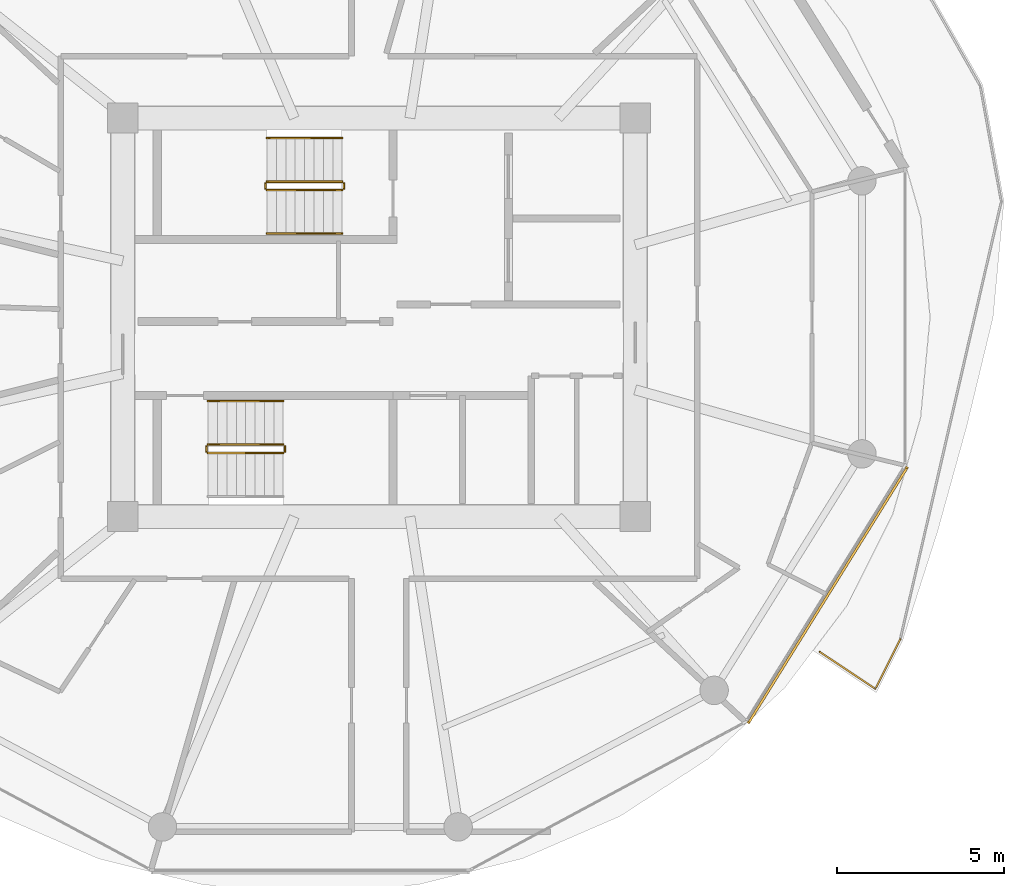
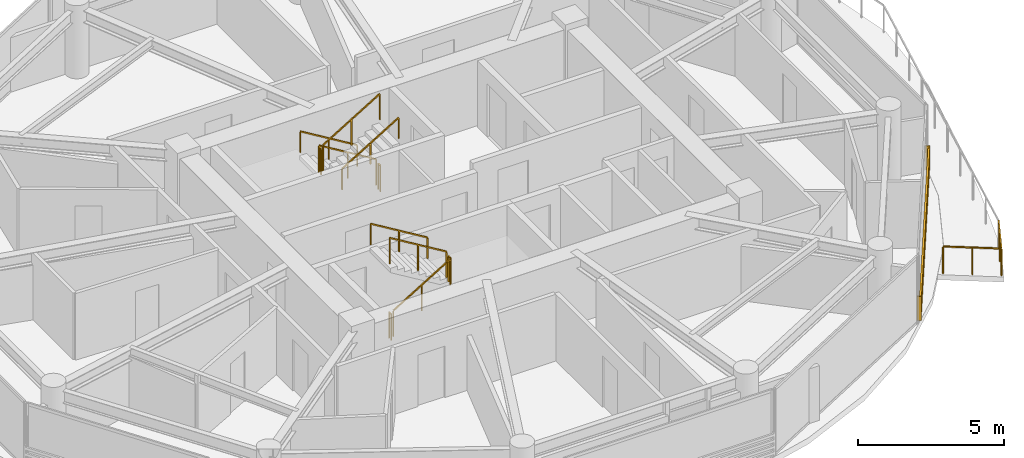
# One storey, part 23 of 24: 12 railings, 1 shading device.
"""IFC4 building model written with IfcOpenShell, lengths in metres."""

import ifcopenshell
import ifcopenshell.guid

model = None  # the IFC model being written
_history = None  # IfcOwnerHistory: only IFC2X3 demands one
_inside = {}  # id of a spatial element -> (the spatial element, [elements in it])
_under = {}  # id of a project, library or spatial element -> (it, [spatial elements below it])
_declared = {}  # id of a project -> (the project, [libraries it declares])
_typed = {}  # id of a type object -> (the type object, [elements of that type])
_made_of = {}  # id of a material, layer set ... -> (it, [elements and type objects made of it])


def new_model(schema):
    """Start an empty IFC model of exactly this schema.

    Asked for "IFC4X3", IfcOpenShell would pick the latest addendum, in which some entities
    have other attributes; the version numbers below select the first issue.
    IFC2X3 requires an IfcOwnerHistory on every rooted entity: one is made here for all.
    """
    global model, _history
    if schema == "IFC4X3":
        model = ifcopenshell.file(schema_version=(4, 3, 0, 0))
    else:
        model = ifcopenshell.file(schema=schema)
    _inside.clear()
    _under.clear()
    _declared.clear()
    _typed.clear()
    _made_of.clear()
    _history = None
    if model.schema == "IFC2X3":
        org = make("IfcOrganization", Name="unknown")
        user = make(
            "IfcPersonAndOrganization",
            ThePerson=make("IfcPerson", FamilyName="unknown"),
            TheOrganization=org,
        )
        app = make(
            "IfcApplication",
            ApplicationDeveloper=org,
            Version="unknown",
            ApplicationFullName="unknown",
            ApplicationIdentifier="unknown",
        )
        _history = make(
            "IfcOwnerHistory",
            OwningUser=user,
            OwningApplication=app,
            ChangeAction="ADDED",
            CreationDate=0,
        )
    return model


def make(cls, **values):
    """One entity of the class cls with the attributes given. An attribute that is None is left unset."""
    return model.create_entity(
        cls, **{name: value for name, value in values.items() if value is not None}
    )


def rooted(cls, **values):
    """An entity with a GlobalId (a new one), such as an element, a storey or a relation."""
    return make(cls, GlobalId=ifcopenshell.guid.new(), OwnerHistory=_history, **values)


def si_unit(unit_type, name, prefix=None):
    """IfcSIUnit, for example si_unit("LENGTHUNIT", "METRE", prefix="MILLI")."""
    return make("IfcSIUnit", UnitType=unit_type, Prefix=prefix, Name=name)


def assignment(units):
    """IfcUnitAssignment: the units of a project."""
    return None if units is None else make("IfcUnitAssignment", Units=units)


def point(xyz):
    """IfcCartesianPoint."""
    return None if xyz is None else make("IfcCartesianPoint", Coordinates=xyz)


def direction(xyz):
    """IfcDirection."""
    return None if xyz is None else make("IfcDirection", DirectionRatios=xyz)


def frame(location, z_axis=None, x_axis=None):
    """IfcAxis2Placement3D, a coordinate frame: its origin and axes. An axis left out is left unset."""
    return make(
        "IfcAxis2Placement3D",
        Location=point(location),
        Axis=direction(z_axis),
        RefDirection=direction(x_axis),
    )


def frame_2d(location, x_axis=None):
    """IfcAxis2Placement2D, a coordinate frame in the plane: its origin and x axis."""
    return make(
        "IfcAxis2Placement2D", Location=point(location), RefDirection=direction(x_axis)
    )


def origin():
    """The frame at (0, 0, 0) with its axes left unset."""
    return frame((0.0, 0.0, 0.0))


def origin_2d():
    """The frame at (0, 0) in the plane with its x axis left unset."""
    return frame_2d((0.0, 0.0))


def place(relative_to, where):
    """IfcLocalPlacement: puts the frame where relative to a parent placement (None: the world)."""
    return make(
        "IfcLocalPlacement", PlacementRelTo=relative_to, RelativePlacement=where
    )


def context(
    kind, dimensions, precision=None, world=None, true_north=None, identifier=None
):
    """IfcGeometricRepresentationContext, for example the 3D "Model" context."""
    return make(
        "IfcGeometricRepresentationContext",
        ContextIdentifier=identifier,
        ContextType=kind,
        CoordinateSpaceDimension=dimensions,
        Precision=precision,
        WorldCoordinateSystem=world,
        TrueNorth=true_north,
    )


def subcontext(parent, identifier, kind, view, scale=None):
    """IfcGeometricRepresentationSubContext, for example "Body" below "Model"."""
    return make(
        "IfcGeometricRepresentationSubContext",
        ContextIdentifier=identifier,
        ContextType=kind,
        ParentContext=parent,
        TargetScale=scale,
        TargetView=view,
    )


def project(units=None, contexts=None):
    """IfcProject with its units and contexts."""
    return rooted(
        "IfcProject",
        Name="project",
        RepresentationContexts=contexts,
        UnitsInContext=assignment(units),
    )


def spatial(cls, under=None, at=None, **own):
    """A site, building, storey or space (cls), placed at a placement, below another one or the project."""
    s = rooted(cls, ObjectPlacement=at, **own)
    if under is not None:
        _under.setdefault(under.id(), (under, []))[1].append(s)
    return s


def profile(cls, at=None, kind="AREA", **sizes):
    """A parametric profile (cls). Its sizes go by their IFC names, for example OverallWidth=200.0."""
    return make(cls, ProfileType=kind, Position=at, **sizes)


def rectangle(**sizes):
    """IfcRectangleProfileDef."""
    return profile("IfcRectangleProfileDef", **sizes)


def extrude(swept, where, along, depth):
    """IfcExtrudedAreaSolid: the profile swept, set in the frame where, extruded along a direction by depth."""
    return make(
        "IfcExtrudedAreaSolid",
        SweptArea=swept,
        Position=where,
        ExtrudedDirection=direction(along),
        Depth=depth,
    )


def shape(context_of_items, identifier, shape_type, items):
    """IfcShapeRepresentation: the items that make up one representation, for example the "Body"."""
    return make(
        "IfcShapeRepresentation",
        ContextOfItems=context_of_items,
        RepresentationIdentifier=identifier,
        RepresentationType=shape_type,
        Items=items,
    )


def source(mapping_origin, context_of_items, identifier, shape_type, items):
    """IfcRepresentationMap: a shape defined once, which mapped items show again and again."""
    return make(
        "IfcRepresentationMap",
        MappingOrigin=mapping_origin,
        MappedRepresentation=shape(context_of_items, identifier, shape_type, items),
    )


def transform(
    local_origin,
    x_axis=None,
    y_axis=None,
    z_axis=None,
    scale=None,
    scale2=None,
    scale3=None,
    uniform=True,
):
    """IfcCartesianTransformationOperator3D, or its non-uniform kind. x_axis, y_axis, z_axis: its Axis1, 2, 3."""
    if uniform:
        return make(
            "IfcCartesianTransformationOperator3D",
            Axis1=direction(x_axis),
            Axis2=direction(y_axis),
            LocalOrigin=point(local_origin),
            Scale=scale,
            Axis3=direction(z_axis),
        )
    return make(
        "IfcCartesianTransformationOperator3DnonUniform",
        Axis1=direction(x_axis),
        Axis2=direction(y_axis),
        LocalOrigin=point(local_origin),
        Scale=scale,
        Axis3=direction(z_axis),
        Scale2=scale2,
        Scale3=scale3,
    )


def mapped(mapping_source, mapping_target):
    """IfcMappedItem: shows the shape of a source again, moved by a transform."""
    return make(
        "IfcMappedItem", MappingSource=mapping_source, MappingTarget=mapping_target
    )


def material(Name=None, Category=None):
    """IfcMaterial."""
    return make("IfcMaterial", Name=Name, Category=Category)


def made_of(thing, what):
    """Note that an element or type object is made of a material, layer set ...; save() writes the relation."""
    if what is not None:
        _made_of.setdefault(what.id(), (what, []))[1].append(thing)
    return thing


def type_object(cls, material=None, **own):
    """A type object (cls), such as IfcWallType, which elements share."""
    return made_of(rooted(cls, **own), material)


def type_shapes(of_type, sources):
    """Give a type object the sources (RepresentationMaps) that its elements show as mapped items."""
    of_type.RepresentationMaps = sources


def element(
    cls,
    number,
    at=None,
    inside=None,
    cuts=None,
    type_object=None,
    material=None,
    context=None,
    identifier="Body",
    shape_type=None,
    held_by="IfcProductDefinitionShape",
    body=None,
    shapes=None,
    **own,
):
    """One element of the class cls, such as IfcWall. Its Tag is "e" and its number.

    at: its placement. inside: the storey or other place that contains it. cuts: it is an
    opening in that element (IfcRelVoidsElement). A single representation is given by context,
    identifier, shape_type and body (its items); several are given by shapes. held_by: the class
    of the entity that holds the representations. save() writes the other relations.
    """
    e = rooted(cls, Tag="e%d" % number, ObjectPlacement=at, **own)
    if body is not None:
        shapes = [shape(context, identifier, shape_type, body)]
    if shapes is not None:
        e.Representation = make(held_by, Representations=shapes)
    if inside is not None:
        _inside.setdefault(inside.id(), (inside, []))[1].append(e)
    if cuts is not None:
        rooted(
            "IfcRelVoidsElement", RelatingBuildingElement=cuts, RelatedOpeningElement=e
        )
    if type_object is not None:
        _typed.setdefault(type_object.id(), (type_object, []))[1].append(e)
    return made_of(e, material)


def aggregate(whole, parts):
    """IfcRelAggregates: a whole, such as a stair, and the parts it consists of."""
    return rooted("IfcRelAggregates", RelatingObject=whole, RelatedObjects=parts)


def save(model, path):
    """Write the relations noted so far, then the file.

    IfcRelAggregates (storeys below a building ...), IfcRelContainedInSpatialStructure (elements
    in a storey), IfcRelDefinesByType, IfcRelAssociatesMaterial and IfcRelDeclares: one each for
    every whole, place, type object, material and project.
    """
    for whole, parts in _under.values():
        aggregate(whole, parts)
    for where, things in _inside.values():
        rooted(
            "IfcRelContainedInSpatialStructure",
            RelatedElements=things,
            RelatingStructure=where,
        )
    for kind, things in _typed.values():
        rooted("IfcRelDefinesByType", RelatedObjects=things, RelatingType=kind)
    for what, things in _made_of.values():
        rooted("IfcRelAssociatesMaterial", RelatedObjects=things, RelatingMaterial=what)
    for by, libraries in _declared.values():
        rooted("IfcRelDeclares", RelatingContext=by, RelatedDefinitions=libraries)
    model.write(path)


model = new_model("IFC4")

# Units and contexts
model_context = context("Model", 3, precision=1e-05, world=origin(), true_north=direction((0.0, 1.0)))
body_context = subcontext(model_context, "Body", "Model", "MODEL_VIEW")
ifc_project = project(units=[si_unit("LENGTHUNIT", "METRE"), si_unit("AREAUNIT", "SQUARE_METRE"), si_unit("VOLUMEUNIT", "CUBIC_METRE"), si_unit("PLANEANGLEUNIT", "RADIAN"), si_unit("MASSUNIT", "GRAM", prefix="KILO")], contexts=[model_context])

# Site, building, storey
site_placement = place(None, origin())
site = spatial("IfcSite", under=ifc_project, at=site_placement, CompositionType="ELEMENT")
building_placement = place(site_placement, origin())
building = spatial("IfcBuilding", under=site, at=building_placement, Name="Norrkilde Senior Care Towers", CompositionType="ELEMENT")
storey_placement = place(building_placement, frame((0.0, 0.0, 105.39990234375)))
storey = spatial("IfcBuildingStorey", under=building, at=storey_placement, Name="L32", CompositionType="ELEMENT", Elevation=105.39990234375)

# Railings
ifc_material_1 = material(Name="Anodised Aluminium", Category="aluminium")
railing_type_1 = type_object("IfcRailingType", Name="Balcony Swirl Ribbon Guardrail 1150", PredefinedType="GUARDRAIL", material=ifc_material_1)
railing_1_placement = place(storey_placement, frame((43.5654296875, -9.605712890625, 0.0)))
element("IfcRailing", 1, at=railing_1_placement, inside=storey, type_object=railing_type_1, Name="L32 Perimeter Safety Guard 01", PredefinedType="GUARDRAIL", context=body_context, shape_type="SweptSolid", body=[
    extrude(rectangle(XDim=0.048095703125, YDim=0.048095703125, at=origin_2d()), frame((0.0, 0.0, 1.1259765625), z_axis=(-0.448212938367, -0.893926821323, 0.0), x_axis=(0.893926821323, -0.448212938367, 0.0)), (0.0, 0.0, 1.0), 1.619873046875),
    extrude(rectangle(XDim=0.048095703125, YDim=0.048095703125, at=origin_2d()), frame((-0.778564453125, -1.4619140625, 1.1259765625), z_axis=(-0.833437105866, 0.552614323526, 0.0), x_axis=(-0.552614323526, -0.833437105866, 0.0)), (0.0, 0.0, 1.0), 1.95947265625),
    extrude(rectangle(XDim=0.0419921875, YDim=0.0419921875, at=origin_2d()), origin(), (0.0, 0.0, 1.0), 1.099853515625),
    extrude(rectangle(XDim=0.0419921875, YDim=0.0419921875, at=origin_2d()), frame((-0.3720703125, -0.7421875, 0.0)), (0.0, 0.0, 1.0), 1.099853515625),
    extrude(rectangle(XDim=0.0419921875, YDim=0.0419921875, at=origin_2d()), frame((-0.744384765625, -1.484619140625, 0.0)), (0.0, 0.0, 1.0), 1.099853515625),
    extrude(rectangle(XDim=0.0419921875, YDim=0.0419921875, at=origin_2d()), frame((-1.578125, -0.931884765625, 0.0)), (0.0, 0.0, 1.0), 1.099853515625),
    extrude(rectangle(XDim=0.0419921875, YDim=0.0419921875, at=origin_2d()), frame((-2.41162109375, -0.379150390625, 0.0)), (0.0, 0.0, 1.0), 1.099853515625),
])
ifc_material_2 = material(Name="Stainless Steel", Category="steel")
railing_type_2 = type_object("IfcRailingType", Name="Stair and Terrace Guardrail 1100", PredefinedType="GUARDRAIL", material=ifc_material_2)
railing_2_placement = place(storey_placement, frame((26.89990234375, 4.050048828125, 0.16943359375)))
element("IfcRailing", 2, at=railing_2_placement, inside=storey, type_object=railing_type_2, Name="L32 ST-E1 stair guard 1", PredefinedType="GUARDRAIL", context=body_context, shape_type="SweptSolid", body=[
    extrude(rectangle(XDim=0.048095703125, YDim=0.048095703125, at=origin_2d()), frame((0.0, 0.0, 1.076171875), z_axis=(-0.855512035549, 0.0, 0.517782924622), x_axis=(0.0, -1.0, 0.0)), (0.0, 0.0, 1.0), 2.618408203125),
    extrude(rectangle(XDim=0.0419921875, YDim=0.0419921875, at=origin_2d()), origin(), (0.0, 0.0, 1.0), 1.050048828125),
    extrude(rectangle(XDim=0.0419921875, YDim=0.0419921875, at=origin_2d()), frame((-1.1201171875, 0.0, 0.677734375)), (0.0, 0.0, 1.0), 1.050048828125),
    extrude(rectangle(XDim=0.0419921875, YDim=0.0419921875, at=origin_2d()), frame((-2.239990234375, 0.0, 1.355712890625)), (0.0, 0.0, 1.0), 1.050048828125),
])
railing_3_placement = place(storey_placement, frame((24.610107421875, 4.0, 1.525146484375)))
element("IfcRailing", 3, at=railing_3_placement, inside=storey, type_object=railing_type_2, Name="L32 ST-E1 stair guard 2", PredefinedType="GUARDRAIL", context=body_context, shape_type="SweptSolid", body=[
    extrude(rectangle(XDim=0.048095703125, YDim=0.048095703125, at=origin_2d()), frame((0.0, 0.0, 1.076171875), z_axis=(0.0, -1.0, 0.0), x_axis=(1.0, 0.0, 0.0)), (0.0, 0.0, 1.0), 0.14990234375),
    extrude(rectangle(XDim=0.0419921875, YDim=0.0419921875, at=origin_2d()), origin(), (0.0, 0.0, 1.0), 1.050048828125),
    extrude(rectangle(XDim=0.0419921875, YDim=0.0419921875, at=origin_2d()), frame((0.0, -0.14990234375, 0.0)), (0.0, 0.0, 1.0), 1.050048828125),
])
railing_4_placement = place(storey_placement, frame((24.659912109375, 3.800048828125, 1.694580078125)))
element("IfcRailing", 4, at=railing_4_placement, inside=storey, type_object=railing_type_2, Name="L32 ST-E1 stair guard 3", PredefinedType="GUARDRAIL", context=body_context, shape_type="SweptSolid", body=[
    extrude(rectangle(XDim=0.048095703125, YDim=0.048095703125, at=origin_2d()), frame((0.0, 0.0, 1.076171875), z_axis=(0.855553338991, 0.0, 0.51771467445), x_axis=(0.0, 1.0, 0.0)), (0.0, 0.0, 1.0), 2.6181640625),
    extrude(rectangle(XDim=0.0419921875, YDim=0.0419921875, at=origin_2d()), origin(), (0.0, 0.0, 1.0), 1.050048828125),
    extrude(rectangle(XDim=0.0419921875, YDim=0.0419921875, at=origin_2d()), frame((1.1201171875, 0.0, 0.677734375)), (0.0, 0.0, 1.0), 1.050048828125),
    extrude(rectangle(XDim=0.0419921875, YDim=0.0419921875, at=origin_2d()), frame((2.239990234375, 0.0, 1.35546875)), (0.0, 0.0, 1.0), 1.050048828125),
])
railing_5_placement = place(storey_placement, frame((26.949951171875, 4.0, 0.0)))
element("IfcRailing", 5, at=railing_5_placement, inside=storey, type_object=railing_type_2, Name="L32 ST-E1 stair guard 4", PredefinedType="GUARDRAIL", context=body_context, shape_type="SweptSolid", body=[
    extrude(rectangle(XDim=0.048095703125, YDim=0.048095703125, at=origin_2d()), frame((0.0, 0.0, 1.076171875), z_axis=(0.0, -1.0, 0.0), x_axis=(1.0, 0.0, 0.0)), (0.0, 0.0, 1.0), 0.14990234375),
    extrude(rectangle(XDim=0.0419921875, YDim=0.0419921875, at=origin_2d()), origin(), (0.0, 0.0, 1.0), 1.050048828125),
    extrude(rectangle(XDim=0.0419921875, YDim=0.0419921875, at=origin_2d()), frame((0.0, -0.14990234375, 0.0)), (0.0, 0.0, 1.0), 1.050048828125),
])
railing_6_placement = place(storey_placement, frame((22.89990234375, -4.050048828125, 0.16943359375)))
element("IfcRailing", 6, at=railing_6_placement, inside=storey, type_object=railing_type_2, Name="L32 ST-E2 stair guard 1", PredefinedType="GUARDRAIL", context=body_context, shape_type="SweptSolid", body=[
    extrude(rectangle(XDim=0.048095703125, YDim=0.048095703125, at=origin_2d()), frame((0.0, 0.0, 1.076171875), z_axis=(0.855512035549, 0.0, 0.517782924622), x_axis=(0.0, 1.0, 0.0)), (0.0, 0.0, 1.0), 2.618408203125),
    extrude(rectangle(XDim=0.0419921875, YDim=0.0419921875, at=origin_2d()), origin(), (0.0, 0.0, 1.0), 1.050048828125),
    extrude(rectangle(XDim=0.0419921875, YDim=0.0419921875, at=origin_2d()), frame((1.1201171875, 0.0, 0.677734375)), (0.0, 0.0, 1.0), 1.050048828125),
    extrude(rectangle(XDim=0.0419921875, YDim=0.0419921875, at=origin_2d()), frame((2.239990234375, 0.0, 1.355712890625)), (0.0, 0.0, 1.0), 1.050048828125),
])
railing_7_placement = place(storey_placement, frame((25.18994140625, -4.0, 1.525146484375)))
element("IfcRailing", 7, at=railing_7_placement, inside=storey, type_object=railing_type_2, Name="L32 ST-E2 stair guard 2", PredefinedType="GUARDRAIL", context=body_context, shape_type="SweptSolid", body=[
    extrude(rectangle(XDim=0.048095703125, YDim=0.048095703125, at=origin_2d()), frame((0.0, 0.0, 1.076171875), z_axis=(0.0, 1.0, 0.0), x_axis=(-1.0, 0.0, 0.0)), (0.0, 0.0, 1.0), 0.14990234375),
    extrude(rectangle(XDim=0.0419921875, YDim=0.0419921875, at=origin_2d()), origin(), (0.0, 0.0, 1.0), 1.050048828125),
    extrude(rectangle(XDim=0.0419921875, YDim=0.0419921875, at=origin_2d()), frame((0.0, 0.14990234375, 0.0)), (0.0, 0.0, 1.0), 1.050048828125),
])
railing_8_placement = place(storey_placement, frame((25.139892578125, -3.800048828125, 1.694580078125)))
element("IfcRailing", 8, at=railing_8_placement, inside=storey, type_object=railing_type_2, Name="L32 ST-E2 stair guard 3", PredefinedType="GUARDRAIL", context=body_context, shape_type="SweptSolid", body=[
    extrude(rectangle(XDim=0.048095703125, YDim=0.048095703125, at=origin_2d()), frame((0.0, 0.0, 1.076171875), z_axis=(-0.855553338991, 0.0, 0.51771467445), x_axis=(0.0, -1.0, 0.0)), (0.0, 0.0, 1.0), 2.6181640625),
    extrude(rectangle(XDim=0.0419921875, YDim=0.0419921875, at=origin_2d()), origin(), (0.0, 0.0, 1.0), 1.050048828125),
    extrude(rectangle(XDim=0.0419921875, YDim=0.0419921875, at=origin_2d()), frame((-1.1201171875, 0.0, 0.677734375)), (0.0, 0.0, 1.0), 1.050048828125),
    extrude(rectangle(XDim=0.0419921875, YDim=0.0419921875, at=origin_2d()), frame((-2.239990234375, 0.0, 1.35546875)), (0.0, 0.0, 1.0), 1.050048828125),
])
railing_9_placement = place(storey_placement, frame((22.85009765625, -4.0, 0.0)))
element("IfcRailing", 9, at=railing_9_placement, inside=storey, type_object=railing_type_2, Name="L32 ST-E2 stair guard 4", PredefinedType="GUARDRAIL", context=body_context, shape_type="SweptSolid", body=[
    extrude(rectangle(XDim=0.048095703125, YDim=0.048095703125, at=origin_2d()), frame((0.0, 0.0, 1.076171875), z_axis=(0.0, 1.0, 0.0), x_axis=(-1.0, 0.0, 0.0)), (0.0, 0.0, 1.0), 0.14990234375),
    extrude(rectangle(XDim=0.0419921875, YDim=0.0419921875, at=origin_2d()), origin(), (0.0, 0.0, 1.0), 1.050048828125),
    extrude(rectangle(XDim=0.0419921875, YDim=0.0419921875, at=origin_2d()), frame((0.0, 0.14990234375, 0.0)), (0.0, 0.0, 1.0), 1.050048828125),
])
ifc_material_3 = material(Name="Nordic Ash Timber", Category="wood")
railing_type_3 = type_object("IfcRailingType", Name="Wall and Stair Handrail 900", PredefinedType="HANDRAIL", material=ifc_material_3)
railing_10_placement = place(storey_placement, frame((26.89990234375, 5.35009765625, 0.16943359375)))
element("IfcRailing", 10, at=railing_10_placement, inside=storey, type_object=railing_type_3, Name="L32 ST-E1 stair handrail 1", PredefinedType="HANDRAIL", context=body_context, shape_type="SweptSolid", body=[
    extrude(rectangle(XDim=0.048095703125, YDim=0.048095703125, at=origin_2d()), frame((0.0, 0.0, 0.8759765625), z_axis=(-0.855512035549, 0.0, 0.517782924622), x_axis=(0.0, -1.0, 0.0)), (0.0, 0.0, 1.0), 2.618408203125),
    extrude(rectangle(XDim=0.0419921875, YDim=0.0419921875, at=origin_2d()), origin(), (0.0, 0.0, 1.0), 0.849853515625),
    extrude(rectangle(XDim=0.0419921875, YDim=0.0419921875, at=origin_2d()), frame((-1.1201171875, 0.0, 0.677734375)), (0.0, 0.0, 1.0), 0.849853515625),
    extrude(rectangle(XDim=0.0419921875, YDim=0.0419921875, at=origin_2d()), frame((-2.239990234375, 0.0, 1.355712890625)), (0.0, 0.0, 1.0), 0.849853515625),
])
railing_11_placement = place(storey_placement, frame((24.659912109375, 2.5, 1.694580078125)))
element("IfcRailing", 11, at=railing_11_placement, inside=storey, type_object=railing_type_3, Name="L32 ST-E1 stair handrail 2", PredefinedType="HANDRAIL", context=body_context, shape_type="SweptSolid", body=[
    extrude(rectangle(XDim=0.048095703125, YDim=0.048095703125, at=origin_2d()), frame((0.0, 0.0, 0.8759765625), z_axis=(0.855553338991, 0.0, 0.51771467445), x_axis=(0.0, 1.0, 0.0)), (0.0, 0.0, 1.0), 2.6181640625),
    extrude(rectangle(XDim=0.0419921875, YDim=0.0419921875, at=origin_2d()), origin(), (0.0, 0.0, 1.0), 0.849853515625),
    extrude(rectangle(XDim=0.0419921875, YDim=0.0419921875, at=origin_2d()), frame((1.1201171875, 0.0, 0.677734375)), (0.0, 0.0, 1.0), 0.849853515625),
    extrude(rectangle(XDim=0.0419921875, YDim=0.0419921875, at=origin_2d()), frame((2.239990234375, 0.0, 1.35546875)), (0.0, 0.0, 1.0), 0.849853515625),
])
railing_12_placement = place(storey_placement, frame((25.139892578125, -2.5, 1.694580078125)))
element("IfcRailing", 12, at=railing_12_placement, inside=storey, type_object=railing_type_3, Name="L32 ST-E2 stair handrail 2", PredefinedType="HANDRAIL", context=body_context, shape_type="SweptSolid", body=[
    extrude(rectangle(XDim=0.048095703125, YDim=0.048095703125, at=origin_2d()), frame((0.0, 0.0, 0.8759765625), z_axis=(-0.855553338991, 0.0, 0.51771467445), x_axis=(0.0, -1.0, 0.0)), (0.0, 0.0, 1.0), 2.6181640625),
    extrude(rectangle(XDim=0.0419921875, YDim=0.0419921875, at=origin_2d()), origin(), (0.0, 0.0, 1.0), 0.849853515625),
    extrude(rectangle(XDim=0.0419921875, YDim=0.0419921875, at=origin_2d()), frame((-1.1201171875, 0.0, 0.677734375)), (0.0, 0.0, 1.0), 0.849853515625),
    extrude(rectangle(XDim=0.0419921875, YDim=0.0419921875, at=origin_2d()), frame((-2.239990234375, 0.0, 1.35546875)), (0.0, 0.0, 1.0), 0.849853515625),
])

# Shading device
ifc_material_4 = material(Name="Architectural Terracotta", Category="masonry")
shading_device_type = type_object("IfcShadingDeviceType", Name="Horizontal Terracotta Baguette Rack", PredefinedType="USERDEFINED", material=ifc_material_4)
shared_shape = source(origin(), body_context, "Body", "SweptSolid", [
    extrude(rectangle(XDim=0.070068359375, YDim=0.110107421875, at=origin_2d()), frame((0.0, 0.090087890625, 0.125), z_axis=(1.0, 0.0, 0.0), x_axis=(0.0, 1.0, 0.0)), (0.0, 0.0, 1.0), 9.01416015625),
    extrude(rectangle(XDim=0.070068359375, YDim=0.110107421875, at=origin_2d()), frame((0.0, 0.090087890625, 0.375), z_axis=(1.0, 0.0, 0.0), x_axis=(0.0, 1.0, 0.0)), (0.0, 0.0, 1.0), 9.01416015625),
    extrude(rectangle(XDim=0.070068359375, YDim=0.110107421875, at=origin_2d()), frame((0.0, 0.090087890625, 0.625), z_axis=(1.0, 0.0, 0.0), x_axis=(0.0, 1.0, 0.0)), (0.0, 0.0, 1.0), 9.01416015625),
    extrude(rectangle(XDim=0.070068359375, YDim=0.110107421875, at=origin_2d()), frame((0.0, 0.090087890625, 0.875), z_axis=(1.0, 0.0, 0.0), x_axis=(0.0, 1.0, 0.0)), (0.0, 0.0, 1.0), 9.01416015625),
    extrude(rectangle(XDim=0.050048828125, YDim=0.1552734375, at=origin_2d()), frame((0.02490234375, 0.047607421875, 0.0)), (0.0, 0.0, 1.0), 1.0),
    extrude(rectangle(XDim=0.050048828125, YDim=0.1552734375, at=origin_2d()), frame((8.9892578125, 0.047607421875, 0.0)), (0.0, 0.0, 1.0), 1.0),
])
type_shapes(shading_device_type, [shared_shape])
shading_device_placement = place(storey_placement, frame((43.70361328125, -4.420654296875, 0.080078125), z_axis=(0.0, 0.0, 1.0), x_axis=(-0.527734142246, -0.849412274525, 0.0)))
element("IfcShadingDevice", 13, at=shading_device_placement, inside=storey, type_object=shading_device_type, Name="L32 Drum E Terracotta Baguette Screen 10", ObjectType="BAGUETTE", PredefinedType="USERDEFINED", context=body_context, shape_type="MappedRepresentation", body=[
    mapped(shared_shape, transform((0.0, 0.0, 0.0), x_axis=(1.0, 0.0, 0.0), y_axis=(0.0, 1.0, 0.0), z_axis=(0.0, 0.0, 1.0), scale=1.0)),
])

save(model, "model.ifc")
